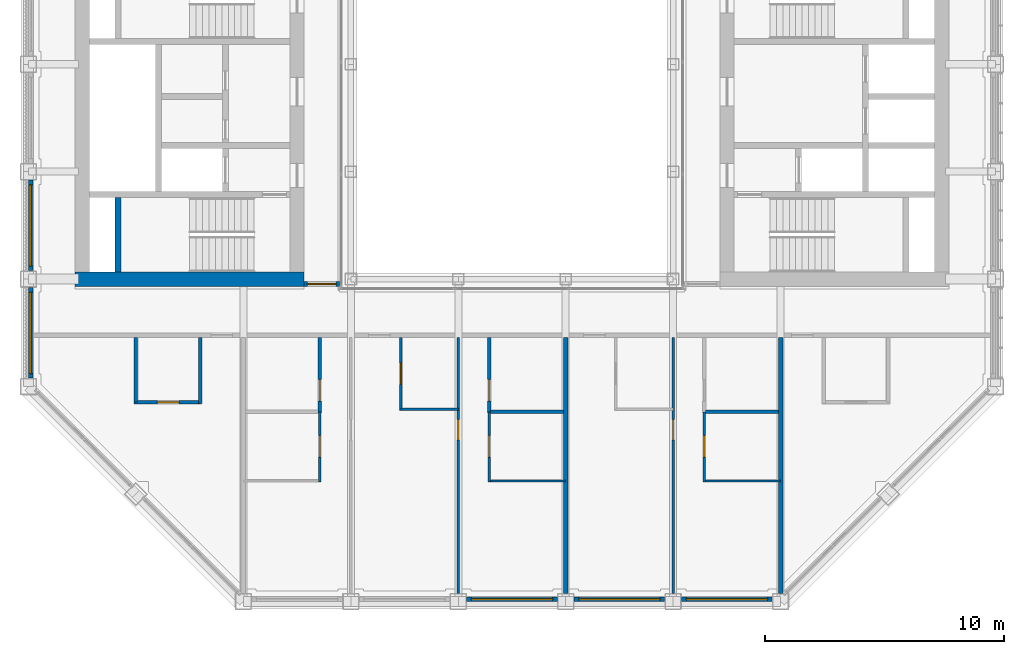
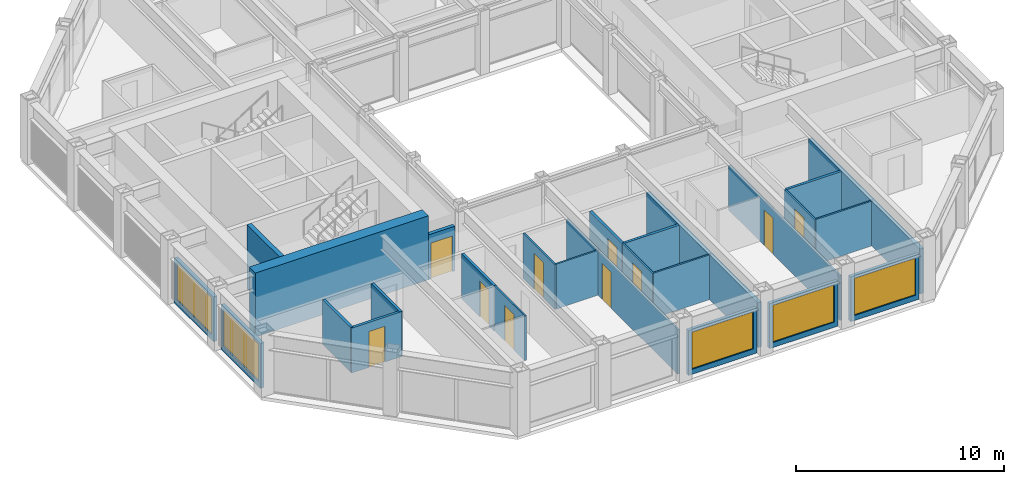
# One storey, part 9 of 18: 26 walls, 10 doors, 5 windows, 15 openings.
"""IFC4 building model written with IfcOpenShell, lengths in metres."""

import ifcopenshell
import ifcopenshell.guid

model = None  # the IFC model being written
_history = None  # IfcOwnerHistory: only IFC2X3 demands one
_inside = {}  # id of a spatial element -> (the spatial element, [elements in it])
_under = {}  # id of a project, library or spatial element -> (it, [spatial elements below it])
_declared = {}  # id of a project -> (the project, [libraries it declares])
_typed = {}  # id of a type object -> (the type object, [elements of that type])
_made_of = {}  # id of a material, layer set ... -> (it, [elements and type objects made of it])


def new_model(schema):
    """Start an empty IFC model of exactly this schema.

    Asked for "IFC4X3", IfcOpenShell would pick the latest addendum, in which some entities
    have other attributes; the version numbers below select the first issue.
    IFC2X3 requires an IfcOwnerHistory on every rooted entity: one is made here for all.
    """
    global model, _history
    if schema == "IFC4X3":
        model = ifcopenshell.file(schema_version=(4, 3, 0, 0))
    else:
        model = ifcopenshell.file(schema=schema)
    _inside.clear()
    _under.clear()
    _declared.clear()
    _typed.clear()
    _made_of.clear()
    _history = None
    if model.schema == "IFC2X3":
        org = make("IfcOrganization", Name="unknown")
        user = make(
            "IfcPersonAndOrganization",
            ThePerson=make("IfcPerson", FamilyName="unknown"),
            TheOrganization=org,
        )
        app = make(
            "IfcApplication",
            ApplicationDeveloper=org,
            Version="unknown",
            ApplicationFullName="unknown",
            ApplicationIdentifier="unknown",
        )
        _history = make(
            "IfcOwnerHistory",
            OwningUser=user,
            OwningApplication=app,
            ChangeAction="ADDED",
            CreationDate=0,
        )
    return model


def make(cls, **values):
    """One entity of the class cls with the attributes given. An attribute that is None is left unset."""
    return model.create_entity(
        cls, **{name: value for name, value in values.items() if value is not None}
    )


def rooted(cls, **values):
    """An entity with a GlobalId (a new one), such as an element, a storey or a relation."""
    return make(cls, GlobalId=ifcopenshell.guid.new(), OwnerHistory=_history, **values)


def si_unit(unit_type, name, prefix=None):
    """IfcSIUnit, for example si_unit("LENGTHUNIT", "METRE", prefix="MILLI")."""
    return make("IfcSIUnit", UnitType=unit_type, Prefix=prefix, Name=name)


def assignment(units):
    """IfcUnitAssignment: the units of a project."""
    return None if units is None else make("IfcUnitAssignment", Units=units)


def point(xyz):
    """IfcCartesianPoint."""
    return None if xyz is None else make("IfcCartesianPoint", Coordinates=xyz)


def direction(xyz):
    """IfcDirection."""
    return None if xyz is None else make("IfcDirection", DirectionRatios=xyz)


def frame(location, z_axis=None, x_axis=None):
    """IfcAxis2Placement3D, a coordinate frame: its origin and axes. An axis left out is left unset."""
    return make(
        "IfcAxis2Placement3D",
        Location=point(location),
        Axis=direction(z_axis),
        RefDirection=direction(x_axis),
    )


def frame_2d(location, x_axis=None):
    """IfcAxis2Placement2D, a coordinate frame in the plane: its origin and x axis."""
    return make(
        "IfcAxis2Placement2D", Location=point(location), RefDirection=direction(x_axis)
    )


def origin():
    """The frame at (0, 0, 0) with its axes left unset."""
    return frame((0.0, 0.0, 0.0))


def place(relative_to, where):
    """IfcLocalPlacement: puts the frame where relative to a parent placement (None: the world)."""
    return make(
        "IfcLocalPlacement", PlacementRelTo=relative_to, RelativePlacement=where
    )


def context(
    kind, dimensions, precision=None, world=None, true_north=None, identifier=None
):
    """IfcGeometricRepresentationContext, for example the 3D "Model" context."""
    return make(
        "IfcGeometricRepresentationContext",
        ContextIdentifier=identifier,
        ContextType=kind,
        CoordinateSpaceDimension=dimensions,
        Precision=precision,
        WorldCoordinateSystem=world,
        TrueNorth=true_north,
    )


def subcontext(parent, identifier, kind, view, scale=None):
    """IfcGeometricRepresentationSubContext, for example "Body" below "Model"."""
    return make(
        "IfcGeometricRepresentationSubContext",
        ContextIdentifier=identifier,
        ContextType=kind,
        ParentContext=parent,
        TargetScale=scale,
        TargetView=view,
    )


def project(units=None, contexts=None):
    """IfcProject with its units and contexts."""
    return rooted(
        "IfcProject",
        Name="project",
        RepresentationContexts=contexts,
        UnitsInContext=assignment(units),
    )


def spatial(cls, under=None, at=None, **own):
    """A site, building, storey or space (cls), placed at a placement, below another one or the project."""
    s = rooted(cls, ObjectPlacement=at, **own)
    if under is not None:
        _under.setdefault(under.id(), (under, []))[1].append(s)
    return s


def profile(cls, at=None, kind="AREA", **sizes):
    """A parametric profile (cls). Its sizes go by their IFC names, for example OverallWidth=200.0."""
    return make(cls, ProfileType=kind, Position=at, **sizes)


def rectangle(**sizes):
    """IfcRectangleProfileDef."""
    return profile("IfcRectangleProfileDef", **sizes)


def extrude(swept, where, along, depth):
    """IfcExtrudedAreaSolid: the profile swept, set in the frame where, extruded along a direction by depth."""
    return make(
        "IfcExtrudedAreaSolid",
        SweptArea=swept,
        Position=where,
        ExtrudedDirection=direction(along),
        Depth=depth,
    )


def shape(context_of_items, identifier, shape_type, items):
    """IfcShapeRepresentation: the items that make up one representation, for example the "Body"."""
    return make(
        "IfcShapeRepresentation",
        ContextOfItems=context_of_items,
        RepresentationIdentifier=identifier,
        RepresentationType=shape_type,
        Items=items,
    )


def material(Name=None, Category=None):
    """IfcMaterial."""
    return make("IfcMaterial", Name=Name, Category=Category)


def layer(
    of_material, thickness, ventilated=None, Name=None, Category=None, Priority=None
):
    """IfcMaterialLayer: one layer of a wall or slab, of a material (None: an air gap)."""
    return make(
        "IfcMaterialLayer",
        Material=of_material,
        LayerThickness=thickness,
        IsVentilated=ventilated,
        Name=Name,
        Category=Category,
        Priority=Priority,
    )


def layer_set(layers, Name=None):
    """IfcMaterialLayerSet."""
    return make("IfcMaterialLayerSet", MaterialLayers=layers, LayerSetName=Name)


def made_of(thing, what):
    """Note that an element or type object is made of a material, layer set ...; save() writes the relation."""
    if what is not None:
        _made_of.setdefault(what.id(), (what, []))[1].append(thing)
    return thing


def type_object(cls, material=None, **own):
    """A type object (cls), such as IfcWallType, which elements share."""
    return made_of(rooted(cls, **own), material)


def element(
    cls,
    number,
    at=None,
    inside=None,
    cuts=None,
    type_object=None,
    material=None,
    context=None,
    identifier="Body",
    shape_type=None,
    held_by="IfcProductDefinitionShape",
    body=None,
    shapes=None,
    **own,
):
    """One element of the class cls, such as IfcWall. Its Tag is "e" and its number.

    at: its placement. inside: the storey or other place that contains it. cuts: it is an
    opening in that element (IfcRelVoidsElement). A single representation is given by context,
    identifier, shape_type and body (its items); several are given by shapes. held_by: the class
    of the entity that holds the representations. save() writes the other relations.
    """
    e = rooted(cls, Tag="e%d" % number, ObjectPlacement=at, **own)
    if body is not None:
        shapes = [shape(context, identifier, shape_type, body)]
    if shapes is not None:
        e.Representation = make(held_by, Representations=shapes)
    if inside is not None:
        _inside.setdefault(inside.id(), (inside, []))[1].append(e)
    if cuts is not None:
        rooted(
            "IfcRelVoidsElement", RelatingBuildingElement=cuts, RelatedOpeningElement=e
        )
    if type_object is not None:
        _typed.setdefault(type_object.id(), (type_object, []))[1].append(e)
    return made_of(e, material)


def fill(opening, filler):
    """IfcRelFillsElement: the door or window that sits in an opening."""
    return rooted(
        "IfcRelFillsElement",
        RelatingOpeningElement=opening,
        RelatedBuildingElement=filler,
    )


def aggregate(whole, parts):
    """IfcRelAggregates: a whole, such as a stair, and the parts it consists of."""
    return rooted("IfcRelAggregates", RelatingObject=whole, RelatedObjects=parts)


def save(model, path):
    """Write the relations noted so far, then the file.

    IfcRelAggregates (storeys below a building ...), IfcRelContainedInSpatialStructure (elements
    in a storey), IfcRelDefinesByType, IfcRelAssociatesMaterial and IfcRelDeclares: one each for
    every whole, place, type object, material and project.
    """
    for whole, parts in _under.values():
        aggregate(whole, parts)
    for where, things in _inside.values():
        rooted(
            "IfcRelContainedInSpatialStructure",
            RelatedElements=things,
            RelatingStructure=where,
        )
    for kind, things in _typed.values():
        rooted("IfcRelDefinesByType", RelatedObjects=things, RelatingType=kind)
    for what, things in _made_of.values():
        rooted("IfcRelAssociatesMaterial", RelatedObjects=things, RelatingMaterial=what)
    for by, libraries in _declared.values():
        rooted("IfcRelDeclares", RelatingContext=by, RelatedDefinitions=libraries)
    model.write(path)


model = new_model("IFC4")

# Units and contexts
model_context = context("Model", 3, precision=1e-05, world=origin(), true_north=direction((0.0, 1.0)))
body_context = subcontext(model_context, "Body", "Model", "MODEL_VIEW")
ifc_project = project(units=[si_unit("LENGTHUNIT", "METRE"), si_unit("AREAUNIT", "SQUARE_METRE"), si_unit("VOLUMEUNIT", "CUBIC_METRE"), si_unit("PLANEANGLEUNIT", "RADIAN"), si_unit("MASSUNIT", "GRAM", prefix="KILO")], contexts=[model_context])

# Site, building, storey
site_placement = place(None, origin())
site = spatial("IfcSite", under=ifc_project, at=site_placement, CompositionType="ELEMENT")
building_placement = place(site_placement, origin())
building = spatial("IfcBuilding", under=site, at=building_placement, Name="Msasa Ring Tower", CompositionType="ELEMENT")
storey_placement = place(building_placement, frame((0.0, 0.0, 249.550048828125)))
storey = spatial("IfcBuildingStorey", under=building, at=storey_placement, Name="L65", CompositionType="ELEMENT", Elevation=249.550048828125)

# Walls
ifc_material_1 = material(Name="Concrete C60/75", Category="concrete")
ifc_layer_1 = layer(ifc_material_1, 0.60009765625)
ifc_layer_set_1 = layer_set([ifc_layer_1], Name="CW3 CORE WALL 600")
wall_type_1 = type_object("IfcWallType", Name="CW3 CORE WALL 600", PredefinedType="SHEAR", material=ifc_layer_set_1)
wall_1_placement = place(storey_placement, frame((-8.699951171875, -6.75, 0.0), z_axis=(0.0, 0.0, 1.0), x_axis=(-1.0, 0.0, 0.0)))
element("IfcWall", 1, at=wall_1_placement, inside=storey, type_object=wall_type_1, Name="W core wall S L65", PredefinedType="SHEAR", context=body_context, shape_type="SweptSolid", body=[
    extrude(rectangle(XDim=9.60009765625, YDim=0.60009765625, at=frame_2d((4.800048828125, 0.0))), origin(), (0.0, 0.0, 1.0), 3.75),
])
ifc_material_2 = material(Name="Concrete C60/75", Category="concrete")
ifc_layer_2 = layer(ifc_material_2, 0.25)
ifc_layer_set_2 = layer_set([ifc_layer_2], Name="CW4 CORE INNER WALL 250")
wall_type_2 = type_object("IfcWallType", Name="CW4 CORE INNER WALL 250", PredefinedType="SHEAR", material=ifc_layer_set_2)
wall_2_placement = place(storey_placement, frame((-16.5, -6.449951171875, 0.0), z_axis=(0.0, 0.0, 1.0), x_axis=(0.0, 1.0, 0.0)))
element("IfcWall", 2, at=wall_2_placement, inside=storey, type_object=wall_type_2, Name="W core wall RISERA L65", PredefinedType="SHEAR", context=body_context, shape_type="SweptSolid", body=[
    extrude(rectangle(XDim=3.125, YDim=0.25, at=frame_2d((1.5625, 0.0))), origin(), (0.0, 0.0, 1.0), 3.75),
])

# Wall, opening, window
ifc_material_3 = material(Name="Terracotta rainscreen on blockwork", Category="masonry")
ifc_layer_3 = layer(ifc_material_3, 0.199951171875)
ifc_layer_set_3 = layer_set([ifc_layer_3], Name="FW1 TERRACOTTA-LINED INFILL BAY WALL 200")
wall_type_3 = type_object("IfcWallType", Name="FW1 TERRACOTTA-LINED INFILL BAY WALL 200", PredefinedType="SOLIDWALL", material=ifc_layer_set_3)
wall_3_placement = place(storey_placement, frame((-1.89501953125, -20.14990234375, 0.0), z_axis=(0.0, 0.0, 1.0), x_axis=(1.0, 0.0, 0.0)))
wall_3 = element("IfcWall", 3, at=wall_3_placement, inside=storey, type_object=wall_type_3, Name="Infill bay wall S L65 02", PredefinedType="SOLIDWALL", context=body_context, shape_type="SweptSolid", body=[
    extrude(rectangle(XDim=3.7900390625, YDim=0.199951171875, at=frame_2d((1.89501953125, 0.0))), origin(), (0.0, 0.0, 1.0), 2.62890625),
])
opening_1_placement = place(wall_3_placement, frame((0.195068359375, 0.0, 0.300048828125)))
opening_1 = element("IfcOpeningElement", 4, at=opening_1_placement, cuts=wall_3, Name="Opening WN3", PredefinedType="OPENING", context=body_context, shape_type="SweptSolid", body=[
    extrude(rectangle(XDim=3.39990234375, YDim=2.178955078125, at=frame_2d((1.699951171875, 1.08935546875))), frame((0.0, 0.10986328125, 0.0), z_axis=(0.0, -1.0, 0.0), x_axis=(1.0, 0.0, 0.0)), (0.0, 0.0, 1.0), 0.219970703125),
])
ifc_material_4 = material(Name="Aluminium frame with clear glass", Category="aluminium")
window_type = type_object("IfcWindowType", Name="WN3 SUITE WINDOW 3400x2179", PartitioningType="SINGLE_PANEL", PredefinedType="WINDOW", material=ifc_material_4)
window_1_placement = place(opening_1_placement, origin())
window_1 = element("IfcWindow", 5, at=window_1_placement, inside=storey, type_object=window_type, Name="Window S L65 02", OverallHeight=2.178955078125, OverallWidth=3.39990234375, PartitioningType="SINGLE_PANEL", PredefinedType="WINDOW", context=body_context, shape_type="SweptSolid", body=[
    extrude(rectangle(XDim=3.39990234375, YDim=2.178955078125, at=frame_2d((1.699951171875, 1.08935546875))), frame((0.0, 0.030029296875, 0.0), z_axis=(0.0, -1.0, 0.0), x_axis=(1.0, 0.0, 0.0)), (0.0, 0.0, 1.0), 0.06005859375),
])
fill(opening_1, window_1)

wall_4_placement = place(storey_placement, frame((2.60498046875, -20.14990234375, 0.0), z_axis=(0.0, 0.0, 1.0), x_axis=(1.0, 0.0, 0.0)))
wall_4 = element("IfcWall", 6, at=wall_4_placement, inside=storey, type_object=wall_type_3, Name="Infill bay wall S L65 03", PredefinedType="SOLIDWALL", context=body_context, shape_type="SweptSolid", body=[
    extrude(rectangle(XDim=3.7900390625, YDim=0.199951171875, at=frame_2d((1.89501953125, 0.0))), origin(), (0.0, 0.0, 1.0), 2.62890625),
])
opening_2_placement = place(wall_4_placement, frame((0.195068359375, 0.0, 0.300048828125)))
opening_2 = element("IfcOpeningElement", 7, at=opening_2_placement, cuts=wall_4, Name="Opening WN3", PredefinedType="OPENING", context=body_context, shape_type="SweptSolid", body=[
    extrude(rectangle(XDim=3.39990234375, YDim=2.178955078125, at=frame_2d((1.699951171875, 1.08935546875))), frame((0.0, 0.10986328125, 0.0), z_axis=(0.0, -1.0, 0.0), x_axis=(1.0, 0.0, 0.0)), (0.0, 0.0, 1.0), 0.219970703125),
])
window_2_placement = place(opening_2_placement, origin())
window_2 = element("IfcWindow", 8, at=window_2_placement, inside=storey, type_object=window_type, Name="Window S L65 03", OverallHeight=2.178955078125, OverallWidth=3.39990234375, PartitioningType="SINGLE_PANEL", PredefinedType="WINDOW", context=body_context, shape_type="SweptSolid", body=[
    extrude(rectangle(XDim=3.39990234375, YDim=2.178955078125, at=frame_2d((1.699951171875, 1.08935546875))), frame((0.0, 0.030029296875, 0.0), z_axis=(0.0, -1.0, 0.0), x_axis=(1.0, 0.0, 0.0)), (0.0, 0.0, 1.0), 0.06005859375),
])
fill(opening_2, window_2)

wall_5_placement = place(storey_placement, frame((7.10498046875, -20.14990234375, 0.0), z_axis=(0.0, 0.0, 1.0), x_axis=(1.0, 0.0, 0.0)))
wall_5 = element("IfcWall", 9, at=wall_5_placement, inside=storey, type_object=wall_type_3, Name="Infill bay wall S L65 04", PredefinedType="SOLIDWALL", context=body_context, shape_type="SweptSolid", body=[
    extrude(rectangle(XDim=3.7900390625, YDim=0.199951171875, at=frame_2d((1.89501953125, 0.0))), origin(), (0.0, 0.0, 1.0), 2.62890625),
])
opening_3_placement = place(wall_5_placement, frame((0.195068359375, 0.0, 0.300048828125)))
opening_3 = element("IfcOpeningElement", 10, at=opening_3_placement, cuts=wall_5, Name="Opening WN3", PredefinedType="OPENING", context=body_context, shape_type="SweptSolid", body=[
    extrude(rectangle(XDim=3.39990234375, YDim=2.178955078125, at=frame_2d((1.699951171875, 1.08935546875))), frame((0.0, 0.10986328125, 0.0), z_axis=(0.0, -1.0, 0.0), x_axis=(1.0, 0.0, 0.0)), (0.0, 0.0, 1.0), 0.219970703125),
])
window_3_placement = place(opening_3_placement, origin())
window_3 = element("IfcWindow", 11, at=window_3_placement, inside=storey, type_object=window_type, Name="Window S L65 04", OverallHeight=2.178955078125, OverallWidth=3.39990234375, PartitioningType="SINGLE_PANEL", PredefinedType="WINDOW", context=body_context, shape_type="SweptSolid", body=[
    extrude(rectangle(XDim=3.39990234375, YDim=2.178955078125, at=frame_2d((1.699951171875, 1.08935546875))), frame((0.0, 0.030029296875, 0.0), z_axis=(0.0, -1.0, 0.0), x_axis=(1.0, 0.0, 0.0)), (0.0, 0.0, 1.0), 0.06005859375),
])
fill(opening_3, window_3)

wall_6_placement = place(storey_placement, frame((-20.14990234375, -10.89501953125, 0.0), z_axis=(0.0, 0.0, 1.0), x_axis=(0.0, 1.0, 0.0)))
wall_6 = element("IfcWall", 12, at=wall_6_placement, inside=storey, type_object=wall_type_3, Name="Infill bay wall W L65 21", PredefinedType="SOLIDWALL", context=body_context, shape_type="SweptSolid", body=[
    extrude(rectangle(XDim=3.7900390625, YDim=0.199951171875, at=frame_2d((1.89501953125, 0.0))), origin(), (0.0, 0.0, 1.0), 2.62890625),
])
opening_4_placement = place(wall_6_placement, frame((0.195068359375, 0.0, 0.300048828125)))
opening_4 = element("IfcOpeningElement", 13, at=opening_4_placement, cuts=wall_6, Name="Opening WN3", PredefinedType="OPENING", context=body_context, shape_type="SweptSolid", body=[
    extrude(rectangle(XDim=3.39990234375, YDim=2.178955078125, at=frame_2d((1.699951171875, 1.08935546875))), frame((0.0, 0.10986328125, 0.0), z_axis=(0.0, -1.0, 0.0), x_axis=(1.0, 0.0, 0.0)), (0.0, 0.0, 1.0), 0.219970703125),
])
window_4_placement = place(opening_4_placement, origin())
window_4 = element("IfcWindow", 14, at=window_4_placement, inside=storey, type_object=window_type, Name="Window W L65 21", OverallHeight=2.178955078125, OverallWidth=3.39990234375, PartitioningType="SINGLE_PANEL", PredefinedType="WINDOW", context=body_context, shape_type="SweptSolid", body=[
    extrude(rectangle(XDim=3.39990234375, YDim=2.178955078125, at=frame_2d((1.699951171875, 1.08935546875))), frame((0.0, 0.030029296875, 0.0), z_axis=(0.0, -1.0, 0.0), x_axis=(1.0, 0.0, 0.0)), (0.0, 0.0, 1.0), 0.06005859375),
])
fill(opening_4, window_4)

wall_7_placement = place(storey_placement, frame((-20.14990234375, -6.39501953125, 0.0), z_axis=(0.0, 0.0, 1.0), x_axis=(0.0, 1.0, 0.0)))
wall_7 = element("IfcWall", 15, at=wall_7_placement, inside=storey, type_object=wall_type_3, Name="Infill bay wall W L65 22", PredefinedType="SOLIDWALL", context=body_context, shape_type="SweptSolid", body=[
    extrude(rectangle(XDim=3.7900390625, YDim=0.199951171875, at=frame_2d((1.89501953125, 0.0))), origin(), (0.0, 0.0, 1.0), 2.62890625),
])
opening_5_placement = place(wall_7_placement, frame((0.195068359375, 0.0, 0.300048828125)))
opening_5 = element("IfcOpeningElement", 16, at=opening_5_placement, cuts=wall_7, Name="Opening WN3", PredefinedType="OPENING", context=body_context, shape_type="SweptSolid", body=[
    extrude(rectangle(XDim=3.39990234375, YDim=2.178955078125, at=frame_2d((1.699951171875, 1.08935546875))), frame((0.0, 0.10986328125, 0.0), z_axis=(0.0, -1.0, 0.0), x_axis=(1.0, 0.0, 0.0)), (0.0, 0.0, 1.0), 0.219970703125),
])
window_5_placement = place(opening_5_placement, origin())
window_5 = element("IfcWindow", 17, at=window_5_placement, inside=storey, type_object=window_type, Name="Window W L65 22", OverallHeight=2.178955078125, OverallWidth=3.39990234375, PartitioningType="SINGLE_PANEL", PredefinedType="WINDOW", context=body_context, shape_type="SweptSolid", body=[
    extrude(rectangle(XDim=3.39990234375, YDim=2.178955078125, at=frame_2d((1.699951171875, 1.08935546875))), frame((0.0, 0.030029296875, 0.0), z_axis=(0.0, -1.0, 0.0), x_axis=(1.0, 0.0, 0.0)), (0.0, 0.0, 1.0), 0.06005859375),
])
fill(opening_5, window_5)

# Wall, opening, door
ifc_material_5 = material(Name="Concrete blockwork", Category="masonry")
ifc_layer_4 = layer(ifc_material_5, 0.199951171875)
ifc_layer_set_4 = layer_set([ifc_layer_4], Name="PT1 CORRIDOR WALL 200")
wall_type_4 = type_object("IfcWallType", Name="PT1 CORRIDOR WALL 200", PredefinedType="PARTITIONING", material=ifc_layer_set_4)
wall_8_placement = place(storey_placement, frame((-8.699951171875, -6.949951171875, 0.0), z_axis=(0.0, 0.0, 1.0), x_axis=(1.0, 0.0, 0.0)))
wall_8 = element("IfcWall", 18, at=wall_8_placement, inside=storey, type_object=wall_type_4, Name="Corridor wall L65-SDWS", PredefinedType="PARTITIONING", context=body_context, shape_type="SweptSolid", body=[
    extrude(rectangle(XDim=1.469970703125, YDim=0.199951171875, at=frame_2d((0.73486328125, 0.0))), origin(), (0.0, 0.0, 1.0), 2.62890625),
])
opening_6_placement = place(wall_8_placement, frame((0.135009765625, 0.0, 0.0)))
opening_6 = element("IfcOpeningElement", 19, at=opening_6_placement, cuts=wall_8, Name="Opening SE-032", PredefinedType="OPENING", context=body_context, shape_type="SweptSolid", body=[
    extrude(rectangle(XDim=1.199951171875, YDim=2.10009765625, at=frame_2d((0.60009765625, 1.050048828125))), frame((0.0, 0.10986328125, 0.0), z_axis=(0.0, -1.0, 0.0), x_axis=(1.0, 0.0, 0.0)), (0.0, 0.0, 1.0), 0.219970703125),
])
ifc_material_6 = material(Name="Timber door leaf in a steel frame", Category="steel")
door_type_1 = type_object("IfcDoorType", Name="D25 CORRIDOR PAIR OF SMOKE DOORS 1200x2100", OperationType="DOUBLE_DOOR_DOUBLE_SWING", PredefinedType="DOOR", material=ifc_material_6)
door_1_placement = place(opening_6_placement, origin())
door_1 = element("IfcDoor", 20, at=door_1_placement, inside=storey, type_object=door_type_1, Name="Door L65-SDWS", OperationType="DOUBLE_DOOR_DOUBLE_SWING", OverallHeight=2.10009765625, OverallWidth=1.199951171875, PredefinedType="DOOR", context=body_context, shape_type="SweptSolid", body=[
    extrude(rectangle(XDim=1.199951171875, YDim=2.10009765625, at=frame_2d((0.60009765625, 1.050048828125))), frame((0.0, 0.02490234375, 0.0), z_axis=(0.0, -1.0, 0.0), x_axis=(1.0, 0.0, 0.0)), (0.0, 0.0, 1.0), 0.050048828125),
])
fill(opening_6, door_1)

ifc_material_7 = material(Name="Gypsum board on steel studs", Category="steel")
ifc_layer_5 = layer(ifc_material_7, 0.10009765625)
ifc_layer_set_5 = layer_set([ifc_layer_5], Name="PT2 STUD PARTITION 100")
wall_type_5 = type_object("IfcWallType", Name="PT2 STUD PARTITION 100", PredefinedType="PARTITIONING", material=ifc_layer_set_5)
wall_9_placement = place(storey_placement, frame((-4.64990234375, -12.25, 0.0), z_axis=(0.0, 0.0, 1.0), x_axis=(0.0, 1.0, 0.0)))
wall_9 = element("IfcWall", 21, at=wall_9_placement, inside=storey, type_object=wall_type_5, Name="Partition L65-JS00PNX", PredefinedType="PARTITIONING", context=body_context, shape_type="SweptSolid", body=[
    extrude(rectangle(XDim=3.050048828125, YDim=0.10009765625, at=frame_2d((1.52490234375, 0.0))), origin(), (0.0, 0.0, 1.0), 2.62890625),
])
opening_7_placement = place(wall_9_placement, frame((1.10009765625, 0.0, 0.0)))
opening_7 = element("IfcOpeningElement", 22, at=opening_7_placement, cuts=wall_9, Name="Opening SE-038", PredefinedType="OPENING", context=body_context, shape_type="SweptSolid", body=[
    extrude(rectangle(XDim=0.89990234375, YDim=2.10009765625, at=frame_2d((0.449951171875, 1.050048828125))), frame((0.0, 0.06005859375, 0.0), z_axis=(0.0, -1.0, 0.0), x_axis=(1.0, 0.0, 0.0)), (0.0, 0.0, 1.0), 0.1201171875),
])
ifc_material_8 = material(Name="Timber door leaf in a steel frame", Category="steel")
door_type_2 = type_object("IfcDoorType", Name="D22 INTERNAL HALL DOOR 900x2100", OperationType="SINGLE_SWING_LEFT", PredefinedType="DOOR", material=ifc_material_8)
door_2_placement = place(opening_7_placement, origin())
door_2 = element("IfcDoor", 23, at=door_2_placement, inside=storey, type_object=door_type_2, Name="Door L65-JS00PN", OperationType="SINGLE_SWING_LEFT", OverallHeight=2.10009765625, OverallWidth=0.89990234375, PredefinedType="DOOR", context=body_context, shape_type="SweptSolid", body=[
    extrude(rectangle(XDim=0.89990234375, YDim=2.10009765625, at=frame_2d((0.449951171875, 1.050048828125))), frame((0.0, 0.02490234375, 0.0), z_axis=(0.0, -1.0, 0.0), x_axis=(1.0, 0.0, 0.0)), (0.0, 0.0, 1.0), 0.050048828125),
])
fill(opening_7, door_2)

# Wall
wall_10_placement = place(storey_placement, frame((-4.64990234375, -12.199951171875, 0.0), z_axis=(0.0, 0.0, 1.0), x_axis=(1.0, 0.0, 0.0)))
element("IfcWall", 24, at=wall_10_placement, inside=storey, type_object=wall_type_5, Name="Partition L65-JS00PNY", PredefinedType="PARTITIONING", context=body_context, shape_type="SweptSolid", body=[
    extrude(rectangle(XDim=2.39990234375, YDim=0.10009765625, at=frame_2d((1.199951171875, 0.0))), origin(), (0.0, 0.0, 1.0), 2.62890625),
])

# Wall, opening, door
wall_11_placement = place(storey_placement, frame((-8.050048828125, -15.25, 0.0), z_axis=(0.0, 0.0, 1.0), x_axis=(0.0, 1.0, 0.0)))
wall_11 = element("IfcWall", 25, at=wall_11_placement, inside=storey, type_object=wall_type_5, Name="Partition L65-JS00DX0", PredefinedType="PARTITIONING", context=body_context, shape_type="SweptSolid", body=[
    extrude(rectangle(XDim=2.949951171875, YDim=0.10009765625, at=frame_2d((1.47509765625, 0.0))), origin(), (0.0, 0.0, 1.0), 2.62890625),
])
opening_8_placement = place(wall_11_placement, frame((1.050048828125, 0.0, 0.0)))
opening_8 = element("IfcOpeningElement", 26, at=opening_8_placement, cuts=wall_11, Name="Opening SE-048", PredefinedType="OPENING", context=body_context, shape_type="SweptSolid", body=[
    extrude(rectangle(XDim=0.89990234375, YDim=2.10009765625, at=frame_2d((0.449951171875, 1.050048828125))), frame((0.0, 0.06005859375, 0.0), z_axis=(0.0, -1.0, 0.0), x_axis=(1.0, 0.0, 0.0)), (0.0, 0.0, 1.0), 0.1201171875),
])
door_3_placement = place(opening_8_placement, origin())
door_3 = element("IfcDoor", 27, at=door_3_placement, inside=storey, type_object=door_type_2, Name="Door L65-JS00D0", OperationType="SINGLE_SWING_LEFT", OverallHeight=2.10009765625, OverallWidth=0.89990234375, PredefinedType="DOOR", context=body_context, shape_type="SweptSolid", body=[
    extrude(rectangle(XDim=0.89990234375, YDim=2.10009765625, at=frame_2d((0.449951171875, 1.050048828125))), frame((0.0, 0.02490234375, 0.0), z_axis=(0.0, -1.0, 0.0), x_axis=(1.0, 0.0, 0.0)), (0.0, 0.0, 1.0), 0.050048828125),
])
fill(opening_8, door_3)

wall_12_placement = place(storey_placement, frame((-2.25, -19.89990234375, 0.0), z_axis=(0.0, 0.0, 1.0), x_axis=(0.0, 1.0, 0.0)))
wall_12 = element("IfcWall", 28, at=wall_12_placement, inside=storey, type_object=wall_type_5, Name="Partition L65-JS00P2", PredefinedType="PARTITIONING", context=body_context, shape_type="SweptSolid", body=[
    extrude(rectangle(XDim=10.699951171875, YDim=0.10009765625, at=frame_2d((5.35009765625, 0.0))), origin(), (0.0, 0.0, 1.0), 2.62890625),
])
opening_9_placement = place(wall_12_placement, frame((6.425048828125, 0.0, 0.0)))
opening_9 = element("IfcOpeningElement", 29, at=opening_9_placement, cuts=wall_12, Name="Opening SE-046", PredefinedType="OPENING", context=body_context, shape_type="SweptSolid", body=[
    extrude(rectangle(XDim=0.85009765625, YDim=2.10009765625, at=frame_2d((0.425048828125, 1.050048828125))), frame((0.0, 0.06005859375, 0.0), z_axis=(0.0, -1.0, 0.0), x_axis=(1.0, 0.0, 0.0)), (0.0, 0.0, 1.0), 0.1201171875),
])
ifc_material_9 = material(Name="Timber door leaf in a steel frame", Category="steel")
door_type_3 = type_object("IfcDoorType", Name="D14 BEDROOM DOOR 850x2100", OperationType="SINGLE_SWING_LEFT", PredefinedType="DOOR", material=ifc_material_9)
door_4_placement = place(opening_9_placement, origin())
door_4 = element("IfcDoor", 30, at=door_4_placement, inside=storey, type_object=door_type_3, Name="Door L65-JS00R2", OperationType="SINGLE_SWING_RIGHT", OverallHeight=2.10009765625, OverallWidth=0.85009765625, PredefinedType="DOOR", context=body_context, shape_type="SweptSolid", body=[
    extrude(rectangle(XDim=0.85009765625, YDim=2.10009765625, at=frame_2d((0.425048828125, 1.050048828125))), frame((0.0, 0.02490234375, 0.0), z_axis=(0.0, -1.0, 0.0), x_axis=(1.0, 0.0, 0.0)), (0.0, 0.0, 1.0), 0.050048828125),
])
fill(opening_9, door_4)

wall_13_placement = place(storey_placement, frame((-0.949951171875, -15.25, 0.0), z_axis=(0.0, 0.0, 1.0), x_axis=(0.0, 1.0, 0.0)))
wall_13 = element("IfcWall", 31, at=wall_13_placement, inside=storey, type_object=wall_type_5, Name="Partition L65-JS00DX2", PredefinedType="PARTITIONING", context=body_context, shape_type="SweptSolid", body=[
    extrude(rectangle(XDim=2.949951171875, YDim=0.10009765625, at=frame_2d((1.47509765625, 0.0))), origin(), (0.0, 0.0, 1.0), 2.62890625),
])
opening_10_placement = place(wall_13_placement, frame((1.050048828125, 0.0, 0.0)))
opening_10 = element("IfcOpeningElement", 32, at=opening_10_placement, cuts=wall_13, Name="Opening SE-049", PredefinedType="OPENING", context=body_context, shape_type="SweptSolid", body=[
    extrude(rectangle(XDim=0.89990234375, YDim=2.10009765625, at=frame_2d((0.449951171875, 1.050048828125))), frame((0.0, 0.06005859375, 0.0), z_axis=(0.0, -1.0, 0.0), x_axis=(1.0, 0.0, 0.0)), (0.0, 0.0, 1.0), 0.1201171875),
])
door_5_placement = place(opening_10_placement, origin())
door_5 = element("IfcDoor", 33, at=door_5_placement, inside=storey, type_object=door_type_2, Name="Door L65-JS00D2", OperationType="SINGLE_SWING_LEFT", OverallHeight=2.10009765625, OverallWidth=0.89990234375, PredefinedType="DOOR", context=body_context, shape_type="SweptSolid", body=[
    extrude(rectangle(XDim=0.89990234375, YDim=2.10009765625, at=frame_2d((0.449951171875, 1.050048828125))), frame((0.0, 0.02490234375, 0.0), z_axis=(0.0, -1.0, 0.0), x_axis=(1.0, 0.0, 0.0)), (0.0, 0.0, 1.0), 0.050048828125),
])
fill(opening_10, door_5)

# Wall
wall_14_placement = place(storey_placement, frame((-0.949951171875, -15.199951171875, 0.0), z_axis=(0.0, 0.0, 1.0), x_axis=(1.0, 0.0, 0.0)))
element("IfcWall", 34, at=wall_14_placement, inside=storey, type_object=wall_type_5, Name="Partition L65-JS00DY2", PredefinedType="PARTITIONING", context=body_context, shape_type="SweptSolid", body=[
    extrude(rectangle(XDim=3.199951171875, YDim=0.10009765625, at=frame_2d((1.60009765625, 0.0))), origin(), (0.0, 0.0, 1.0), 2.62890625),
])

# Wall, opening, door
wall_15_placement = place(storey_placement, frame((6.75, -19.89990234375, 0.0), z_axis=(0.0, 0.0, 1.0), x_axis=(0.0, 1.0, 0.0)))
wall_15 = element("IfcWall", 35, at=wall_15_placement, inside=storey, type_object=wall_type_5, Name="Partition L65-JS01P1", PredefinedType="PARTITIONING", context=body_context, shape_type="SweptSolid", body=[
    extrude(rectangle(XDim=10.699951171875, YDim=0.10009765625, at=frame_2d((5.35009765625, 0.0))), origin(), (0.0, 0.0, 1.0), 2.62890625),
])
opening_11_placement = place(wall_15_placement, frame((6.425048828125, 0.0, 0.0)))
opening_11 = element("IfcOpeningElement", 36, at=opening_11_placement, cuts=wall_15, Name="Opening SE-047", PredefinedType="OPENING", context=body_context, shape_type="SweptSolid", body=[
    extrude(rectangle(XDim=0.85009765625, YDim=2.10009765625, at=frame_2d((0.425048828125, 1.050048828125))), frame((0.0, 0.06005859375, 0.0), z_axis=(0.0, -1.0, 0.0), x_axis=(1.0, 0.0, 0.0)), (0.0, 0.0, 1.0), 0.1201171875),
])
door_6_placement = place(opening_11_placement, origin())
door_6 = element("IfcDoor", 37, at=door_6_placement, inside=storey, type_object=door_type_3, Name="Door L65-JS01R1", OperationType="SINGLE_SWING_RIGHT", OverallHeight=2.10009765625, OverallWidth=0.85009765625, PredefinedType="DOOR", context=body_context, shape_type="SweptSolid", body=[
    extrude(rectangle(XDim=0.85009765625, YDim=2.10009765625, at=frame_2d((0.425048828125, 1.050048828125))), frame((0.0, 0.02490234375, 0.0), z_axis=(0.0, -1.0, 0.0), x_axis=(1.0, 0.0, 0.0)), (0.0, 0.0, 1.0), 0.050048828125),
])
fill(opening_11, door_6)

wall_16_placement = place(storey_placement, frame((8.050048828125, -15.25, 0.0), z_axis=(0.0, 0.0, 1.0), x_axis=(0.0, 1.0, 0.0)))
wall_16 = element("IfcWall", 38, at=wall_16_placement, inside=storey, type_object=wall_type_5, Name="Partition L65-JS01DX1", PredefinedType="PARTITIONING", context=body_context, shape_type="SweptSolid", body=[
    extrude(rectangle(XDim=2.949951171875, YDim=0.10009765625, at=frame_2d((1.47509765625, 0.0))), origin(), (0.0, 0.0, 1.0), 2.62890625),
])
opening_12_placement = place(wall_16_placement, frame((1.050048828125, 0.0, 0.0)))
opening_12 = element("IfcOpeningElement", 39, at=opening_12_placement, cuts=wall_16, Name="Opening SE-050", PredefinedType="OPENING", context=body_context, shape_type="SweptSolid", body=[
    extrude(rectangle(XDim=0.89990234375, YDim=2.10009765625, at=frame_2d((0.449951171875, 1.050048828125))), frame((0.0, 0.06005859375, 0.0), z_axis=(0.0, -1.0, 0.0), x_axis=(1.0, 0.0, 0.0)), (0.0, 0.0, 1.0), 0.1201171875),
])
door_7_placement = place(opening_12_placement, origin())
door_7 = element("IfcDoor", 40, at=door_7_placement, inside=storey, type_object=door_type_2, Name="Door L65-JS01D1", OperationType="SINGLE_SWING_LEFT", OverallHeight=2.10009765625, OverallWidth=0.89990234375, PredefinedType="DOOR", context=body_context, shape_type="SweptSolid", body=[
    extrude(rectangle(XDim=0.89990234375, YDim=2.10009765625, at=frame_2d((0.449951171875, 1.050048828125))), frame((0.0, 0.02490234375, 0.0), z_axis=(0.0, -1.0, 0.0), x_axis=(1.0, 0.0, 0.0)), (0.0, 0.0, 1.0), 0.050048828125),
])
fill(opening_12, door_7)

# Walls
wall_17_placement = place(storey_placement, frame((8.050048828125, -15.199951171875, 0.0), z_axis=(0.0, 0.0, 1.0), x_axis=(1.0, 0.0, 0.0)))
element("IfcWall", 41, at=wall_17_placement, inside=storey, type_object=wall_type_5, Name="Partition L65-JS01DY1", PredefinedType="PARTITIONING", context=body_context, shape_type="SweptSolid", body=[
    extrude(rectangle(XDim=3.199951171875, YDim=0.10009765625, at=frame_2d((1.60009765625, 0.0))), origin(), (0.0, 0.0, 1.0), 2.62890625),
])
ifc_material_10 = material(Name="Dense concrete blockwork, plastered both faces", Category="masonry")
ifc_layer_6 = layer(ifc_material_10, 0.25)
ifc_layer_set_6 = layer_set([ifc_layer_6], Name="PT3 APARTMENT SEPARATING WALL 250")
wall_type_6 = type_object("IfcWallType", Name="PT3 APARTMENT SEPARATING WALL 250", PredefinedType="PARTITIONING", material=ifc_layer_set_6)
for number, where, z_axis, x_axis, name in (
    (42, (2.25, -19.89990234375, 0.0), (0.0, 0.0, 1.0), (0.0, 1.0, 0.0), "Party wall L65-PWS+2.25"),
    (43, (11.25, -19.89990234375, 0.0), (0.0, 0.0, 1.0), (0.0, 1.0, 0.0), "Party wall L65-PWS+11.25"),
):
    element("IfcWall", number, at=place(storey_placement, frame(where, z_axis=z_axis, x_axis=x_axis)), inside=storey, type_object=wall_type_6, Name=name, PredefinedType="PARTITIONING", context=body_context, shape_type="SweptSolid", body=[
        extrude(rectangle(XDim=10.699951171875, YDim=0.199951171875, at=frame_2d((5.35009765625, 0.0))), origin(), (0.0, 0.0, 1.0), 2.62890625),
    ])

# Wall, opening, door
ifc_material_11 = material(Name="Moisture-resistant board on steel studs with a concealed cistern and pipe void, tiled", Category="steel")
ifc_layer_7 = layer(ifc_material_11, 0.14990234375)
ifc_layer_set_7 = layer_set([ifc_layer_7], Name="PT4 BATHROOM WET WALL 150")
wall_type_7 = type_object("IfcWallType", Name="PT4 BATHROOM WET WALL 150", PredefinedType="PARTITIONING", material=ifc_layer_set_7)
wall_18_placement = place(storey_placement, frame((-8.050048828125, -12.35009765625, 0.0), z_axis=(0.0, 0.0, 1.0), x_axis=(0.0, 1.0, 0.0)))
wall_18 = element("IfcWall", 44, at=wall_18_placement, inside=storey, type_object=wall_type_7, Name="Partition L65-JS00BX0", PredefinedType="PARTITIONING", context=body_context, shape_type="SweptSolid", body=[
    extrude(rectangle(XDim=3.150146484375, YDim=0.14990234375, at=frame_2d((1.5751953125, 0.0))), origin(), (0.0, 0.0, 1.0), 2.62890625),
])
opening_13_placement = place(wall_18_placement, frame((0.5, 0.0, 0.0)))
opening_13 = element("IfcOpeningElement", 45, at=opening_13_placement, cuts=wall_18, Name="Opening SE-040", PredefinedType="OPENING", context=body_context, shape_type="SweptSolid", body=[
    extrude(rectangle(XDim=0.89990234375, YDim=2.10009765625, at=frame_2d((0.449951171875, 1.050048828125))), frame((0.0, 0.0849609375, 0.0), z_axis=(0.0, -1.0, 0.0), x_axis=(1.0, 0.0, 0.0)), (0.0, 0.0, 1.0), 0.169921875),
])
ifc_material_12 = material(Name="Timber door leaf in a steel frame", Category="steel")
door_type_4 = type_object("IfcDoorType", Name="D3 BATHROOM DOOR 900x2100", OperationType="SINGLE_SWING_LEFT", PredefinedType="DOOR", material=ifc_material_12)
door_8_placement = place(opening_13_placement, origin())
door_8 = element("IfcDoor", 46, at=door_8_placement, inside=storey, type_object=door_type_4, Name="Door L65-JS00B0", OperationType="SINGLE_SWING_LEFT", OverallHeight=2.10009765625, OverallWidth=0.89990234375, PredefinedType="DOOR", context=body_context, shape_type="SweptSolid", body=[
    extrude(rectangle(XDim=0.89990234375, YDim=2.10009765625, at=frame_2d((0.449951171875, 1.050048828125))), frame((0.0, 0.02490234375, 0.0), z_axis=(0.0, -1.0, 0.0), x_axis=(1.0, 0.0, 0.0)), (0.0, 0.0, 1.0), 0.050048828125),
])
fill(opening_13, door_8)

wall_19_placement = place(storey_placement, frame((-0.949951171875, -12.35009765625, 0.0), z_axis=(0.0, 0.0, 1.0), x_axis=(0.0, 1.0, 0.0)))
wall_19 = element("IfcWall", 47, at=wall_19_placement, inside=storey, type_object=wall_type_7, Name="Partition L65-JS00BX2", PredefinedType="PARTITIONING", context=body_context, shape_type="SweptSolid", body=[
    extrude(rectangle(XDim=3.150146484375, YDim=0.14990234375, at=frame_2d((1.5751953125, 0.0))), origin(), (0.0, 0.0, 1.0), 2.62890625),
])
opening_14_placement = place(wall_19_placement, frame((0.5, 0.0, 0.0)))
opening_14 = element("IfcOpeningElement", 48, at=opening_14_placement, cuts=wall_19, Name="Opening SE-041", PredefinedType="OPENING", context=body_context, shape_type="SweptSolid", body=[
    extrude(rectangle(XDim=0.89990234375, YDim=2.10009765625, at=frame_2d((0.449951171875, 1.050048828125))), frame((0.0, 0.0849609375, 0.0), z_axis=(0.0, -1.0, 0.0), x_axis=(1.0, 0.0, 0.0)), (0.0, 0.0, 1.0), 0.169921875),
])
door_9_placement = place(opening_14_placement, origin())
door_9 = element("IfcDoor", 49, at=door_9_placement, inside=storey, type_object=door_type_4, Name="Door L65-JS00B2", OperationType="SINGLE_SWING_LEFT", OverallHeight=2.10009765625, OverallWidth=0.89990234375, PredefinedType="DOOR", context=body_context, shape_type="SweptSolid", body=[
    extrude(rectangle(XDim=0.89990234375, YDim=2.10009765625, at=frame_2d((0.449951171875, 1.050048828125))), frame((0.0, 0.02490234375, 0.0), z_axis=(0.0, -1.0, 0.0), x_axis=(1.0, 0.0, 0.0)), (0.0, 0.0, 1.0), 0.050048828125),
])
fill(opening_14, door_9)

# Walls
for number, where, z_axis, x_axis, name in (
    (50, (-0.89990234375, -12.300048828125, 0.0), (0.0, 0.0, 1.0), (1.0, 0.0, 0.0), "Partition L65-JS00BY2"),
    (51, (8.10009765625, -12.300048828125, 0.0), (0.0, 0.0, 1.0), (1.0, 0.0, 0.0), "Partition L65-JS01BY1"),
):
    element("IfcWall", number, at=place(storey_placement, frame(where, z_axis=z_axis, x_axis=x_axis)), inside=storey, type_object=wall_type_7, Name=name, PredefinedType="PARTITIONING", context=body_context, shape_type="SweptSolid", body=[
        extrude(rectangle(XDim=3.0498046875, YDim=0.14990234375, at=frame_2d((1.52490234375, 0.0))), origin(), (0.0, 0.0, 1.0), 2.62890625),
    ])
wall_20_placement = place(storey_placement, frame((-13.050048828125, -11.949951171875, 0.0), z_axis=(0.0, 0.0, 1.0), x_axis=(0.0, 1.0, 0.0)))
element("IfcWall", 52, at=wall_20_placement, inside=storey, type_object=wall_type_7, Name="Partition L65-CSSWBX", PredefinedType="PARTITIONING", context=body_context, shape_type="SweptSolid", body=[
    extrude(rectangle(XDim=2.75, YDim=0.14990234375, at=frame_2d((1.375, 0.0))), origin(), (0.0, 0.0, 1.0), 2.62890625),
])

# Wall, opening, door
wall_21_placement = place(storey_placement, frame((-15.824951171875, -11.89990234375, 0.0), z_axis=(0.0, 0.0, 1.0), x_axis=(1.0, 0.0, 0.0)))
wall_21 = element("IfcWall", 53, at=wall_21_placement, inside=storey, type_object=wall_type_7, Name="Partition L65-CSSWBY", PredefinedType="PARTITIONING", context=body_context, shape_type="SweptSolid", body=[
    extrude(rectangle(XDim=2.77490234375, YDim=0.14990234375, at=frame_2d((1.387451171875, 0.0))), origin(), (0.0, 0.0, 1.0), 2.62890625),
])
opening_15_placement = place(wall_21_placement, frame((0.97509765625, 0.0, 0.0)))
opening_15 = element("IfcOpeningElement", 54, at=opening_15_placement, cuts=wall_21, Name="Opening SE-043", PredefinedType="OPENING", context=body_context, shape_type="SweptSolid", body=[
    extrude(rectangle(XDim=0.89990234375, YDim=2.10009765625, at=frame_2d((0.449951171875, 1.050048828125))), frame((0.0, 0.0849609375, 0.0), z_axis=(0.0, -1.0, 0.0), x_axis=(1.0, 0.0, 0.0)), (0.0, 0.0, 1.0), 0.169921875),
])
door_10_placement = place(opening_15_placement, origin())
door_10 = element("IfcDoor", 55, at=door_10_placement, inside=storey, type_object=door_type_4, Name="Door L65-CSSWB1", OperationType="SINGLE_SWING_RIGHT", OverallHeight=2.10009765625, OverallWidth=0.89990234375, PredefinedType="DOOR", context=body_context, shape_type="SweptSolid", body=[
    extrude(rectangle(XDim=0.89990234375, YDim=2.10009765625, at=frame_2d((0.449951171875, 1.050048828125))), frame((0.0, 0.02490234375, 0.0), z_axis=(0.0, -1.0, 0.0), x_axis=(1.0, 0.0, 0.0)), (0.0, 0.0, 1.0), 0.050048828125),
])
fill(opening_15, door_10)

# Wall
wall_22_placement = place(storey_placement, frame((-15.75, -11.89990234375, 0.0), z_axis=(0.0, 0.0, 1.0), x_axis=(0.0, 1.0, 0.0)))
element("IfcWall", 56, at=wall_22_placement, inside=storey, type_object=wall_type_7, Name="Partition L65-CSSWBE", PredefinedType="PARTITIONING", context=body_context, shape_type="SweptSolid", body=[
    extrude(rectangle(XDim=2.699951171875, YDim=0.14990234375, at=frame_2d((1.35009765625, 0.0))), origin(), (0.0, 0.0, 1.0), 2.62890625),
])

save(model, "model.ifc")
